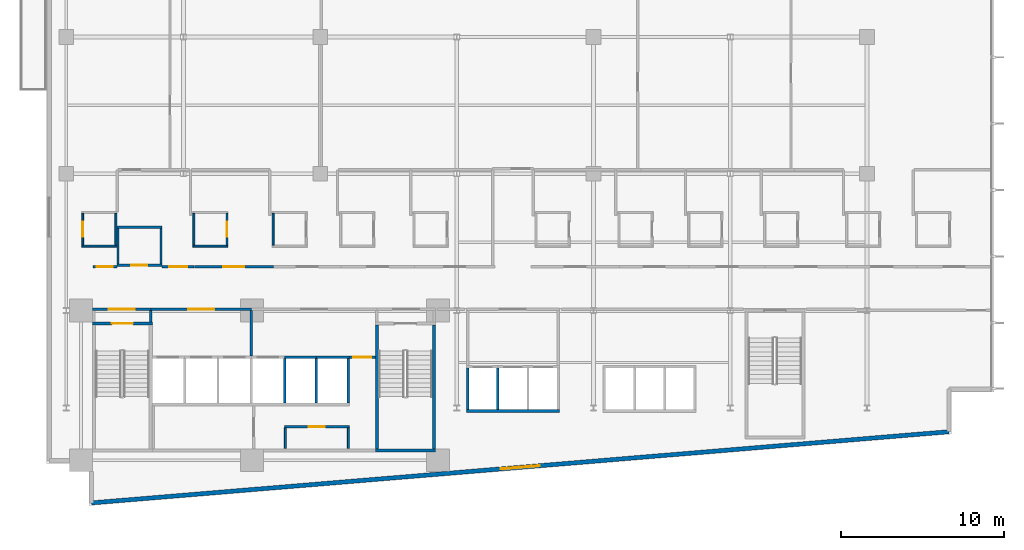
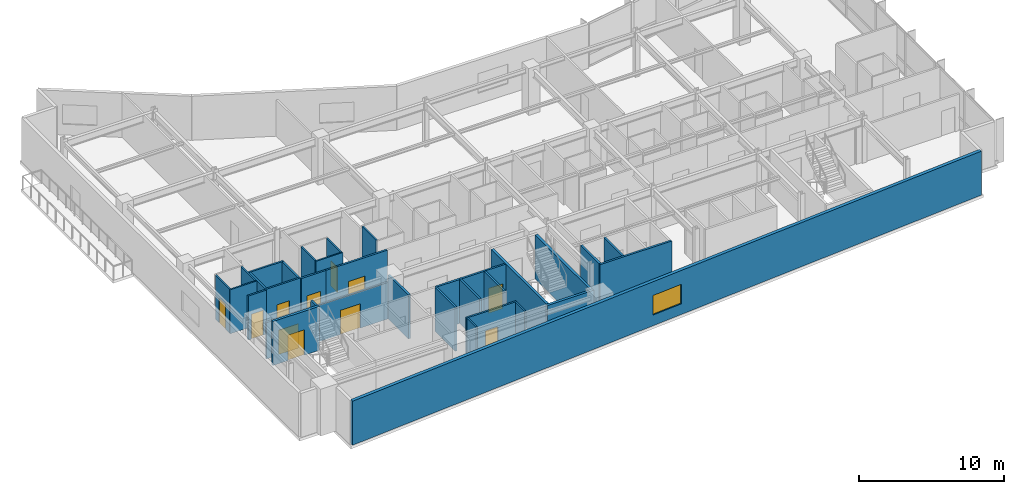
# One storey, part 12 of 21: 35 walls, 11 doors, 1 window, 12 openings.
"""IFC4 building model written with IfcOpenShell, lengths in metres."""

import ifcopenshell
import ifcopenshell.guid

model = None  # the IFC model being written
_history = None  # IfcOwnerHistory: only IFC2X3 demands one
_inside = {}  # id of a spatial element -> (the spatial element, [elements in it])
_under = {}  # id of a project, library or spatial element -> (it, [spatial elements below it])
_declared = {}  # id of a project -> (the project, [libraries it declares])
_typed = {}  # id of a type object -> (the type object, [elements of that type])
_made_of = {}  # id of a material, layer set ... -> (it, [elements and type objects made of it])


def new_model(schema):
    """Start an empty IFC model of exactly this schema.

    Asked for "IFC4X3", IfcOpenShell would pick the latest addendum, in which some entities
    have other attributes; the version numbers below select the first issue.
    IFC2X3 requires an IfcOwnerHistory on every rooted entity: one is made here for all.
    """
    global model, _history
    if schema == "IFC4X3":
        model = ifcopenshell.file(schema_version=(4, 3, 0, 0))
    else:
        model = ifcopenshell.file(schema=schema)
    _inside.clear()
    _under.clear()
    _declared.clear()
    _typed.clear()
    _made_of.clear()
    _history = None
    if model.schema == "IFC2X3":
        org = make("IfcOrganization", Name="unknown")
        user = make(
            "IfcPersonAndOrganization",
            ThePerson=make("IfcPerson", FamilyName="unknown"),
            TheOrganization=org,
        )
        app = make(
            "IfcApplication",
            ApplicationDeveloper=org,
            Version="unknown",
            ApplicationFullName="unknown",
            ApplicationIdentifier="unknown",
        )
        _history = make(
            "IfcOwnerHistory",
            OwningUser=user,
            OwningApplication=app,
            ChangeAction="ADDED",
            CreationDate=0,
        )
    return model


def make(cls, **values):
    """One entity of the class cls with the attributes given. An attribute that is None is left unset."""
    return model.create_entity(
        cls, **{name: value for name, value in values.items() if value is not None}
    )


def rooted(cls, **values):
    """An entity with a GlobalId (a new one), such as an element, a storey or a relation."""
    return make(cls, GlobalId=ifcopenshell.guid.new(), OwnerHistory=_history, **values)


def si_unit(unit_type, name, prefix=None):
    """IfcSIUnit, for example si_unit("LENGTHUNIT", "METRE", prefix="MILLI")."""
    return make("IfcSIUnit", UnitType=unit_type, Prefix=prefix, Name=name)


def assignment(units):
    """IfcUnitAssignment: the units of a project."""
    return None if units is None else make("IfcUnitAssignment", Units=units)


def point(xyz):
    """IfcCartesianPoint."""
    return None if xyz is None else make("IfcCartesianPoint", Coordinates=xyz)


def direction(xyz):
    """IfcDirection."""
    return None if xyz is None else make("IfcDirection", DirectionRatios=xyz)


def frame(location, z_axis=None, x_axis=None):
    """IfcAxis2Placement3D, a coordinate frame: its origin and axes. An axis left out is left unset."""
    return make(
        "IfcAxis2Placement3D",
        Location=point(location),
        Axis=direction(z_axis),
        RefDirection=direction(x_axis),
    )


def frame_2d(location, x_axis=None):
    """IfcAxis2Placement2D, a coordinate frame in the plane: its origin and x axis."""
    return make(
        "IfcAxis2Placement2D", Location=point(location), RefDirection=direction(x_axis)
    )


def origin():
    """The frame at (0, 0, 0) with its axes left unset."""
    return frame((0.0, 0.0, 0.0))


def place(relative_to, where):
    """IfcLocalPlacement: puts the frame where relative to a parent placement (None: the world)."""
    return make(
        "IfcLocalPlacement", PlacementRelTo=relative_to, RelativePlacement=where
    )


def context(
    kind, dimensions, precision=None, world=None, true_north=None, identifier=None
):
    """IfcGeometricRepresentationContext, for example the 3D "Model" context."""
    return make(
        "IfcGeometricRepresentationContext",
        ContextIdentifier=identifier,
        ContextType=kind,
        CoordinateSpaceDimension=dimensions,
        Precision=precision,
        WorldCoordinateSystem=world,
        TrueNorth=true_north,
    )


def subcontext(parent, identifier, kind, view, scale=None):
    """IfcGeometricRepresentationSubContext, for example "Body" below "Model"."""
    return make(
        "IfcGeometricRepresentationSubContext",
        ContextIdentifier=identifier,
        ContextType=kind,
        ParentContext=parent,
        TargetScale=scale,
        TargetView=view,
    )


def project(units=None, contexts=None):
    """IfcProject with its units and contexts."""
    return rooted(
        "IfcProject",
        Name="project",
        RepresentationContexts=contexts,
        UnitsInContext=assignment(units),
    )


def spatial(cls, under=None, at=None, **own):
    """A site, building, storey or space (cls), placed at a placement, below another one or the project."""
    s = rooted(cls, ObjectPlacement=at, **own)
    if under is not None:
        _under.setdefault(under.id(), (under, []))[1].append(s)
    return s


def profile(cls, at=None, kind="AREA", **sizes):
    """A parametric profile (cls). Its sizes go by their IFC names, for example OverallWidth=200.0."""
    return make(cls, ProfileType=kind, Position=at, **sizes)


def rectangle(**sizes):
    """IfcRectangleProfileDef."""
    return profile("IfcRectangleProfileDef", **sizes)


def extrude(swept, where, along, depth):
    """IfcExtrudedAreaSolid: the profile swept, set in the frame where, extruded along a direction by depth."""
    return make(
        "IfcExtrudedAreaSolid",
        SweptArea=swept,
        Position=where,
        ExtrudedDirection=direction(along),
        Depth=depth,
    )


def shape(context_of_items, identifier, shape_type, items):
    """IfcShapeRepresentation: the items that make up one representation, for example the "Body"."""
    return make(
        "IfcShapeRepresentation",
        ContextOfItems=context_of_items,
        RepresentationIdentifier=identifier,
        RepresentationType=shape_type,
        Items=items,
    )


def material(Name=None, Category=None):
    """IfcMaterial."""
    return make("IfcMaterial", Name=Name, Category=Category)


def layer(
    of_material, thickness, ventilated=None, Name=None, Category=None, Priority=None
):
    """IfcMaterialLayer: one layer of a wall or slab, of a material (None: an air gap)."""
    return make(
        "IfcMaterialLayer",
        Material=of_material,
        LayerThickness=thickness,
        IsVentilated=ventilated,
        Name=Name,
        Category=Category,
        Priority=Priority,
    )


def layer_set(layers, Name=None):
    """IfcMaterialLayerSet."""
    return make("IfcMaterialLayerSet", MaterialLayers=layers, LayerSetName=Name)


def made_of(thing, what):
    """Note that an element or type object is made of a material, layer set ...; save() writes the relation."""
    if what is not None:
        _made_of.setdefault(what.id(), (what, []))[1].append(thing)
    return thing


def type_object(cls, material=None, **own):
    """A type object (cls), such as IfcWallType, which elements share."""
    return made_of(rooted(cls, **own), material)


def element(
    cls,
    number,
    at=None,
    inside=None,
    cuts=None,
    type_object=None,
    material=None,
    context=None,
    identifier="Body",
    shape_type=None,
    held_by="IfcProductDefinitionShape",
    body=None,
    shapes=None,
    **own,
):
    """One element of the class cls, such as IfcWall. Its Tag is "e" and its number.

    at: its placement. inside: the storey or other place that contains it. cuts: it is an
    opening in that element (IfcRelVoidsElement). A single representation is given by context,
    identifier, shape_type and body (its items); several are given by shapes. held_by: the class
    of the entity that holds the representations. save() writes the other relations.
    """
    e = rooted(cls, Tag="e%d" % number, ObjectPlacement=at, **own)
    if body is not None:
        shapes = [shape(context, identifier, shape_type, body)]
    if shapes is not None:
        e.Representation = make(held_by, Representations=shapes)
    if inside is not None:
        _inside.setdefault(inside.id(), (inside, []))[1].append(e)
    if cuts is not None:
        rooted(
            "IfcRelVoidsElement", RelatingBuildingElement=cuts, RelatedOpeningElement=e
        )
    if type_object is not None:
        _typed.setdefault(type_object.id(), (type_object, []))[1].append(e)
    return made_of(e, material)


def fill(opening, filler):
    """IfcRelFillsElement: the door or window that sits in an opening."""
    return rooted(
        "IfcRelFillsElement",
        RelatingOpeningElement=opening,
        RelatedBuildingElement=filler,
    )


def aggregate(whole, parts):
    """IfcRelAggregates: a whole, such as a stair, and the parts it consists of."""
    return rooted("IfcRelAggregates", RelatingObject=whole, RelatedObjects=parts)


def save(model, path):
    """Write the relations noted so far, then the file.

    IfcRelAggregates (storeys below a building ...), IfcRelContainedInSpatialStructure (elements
    in a storey), IfcRelDefinesByType, IfcRelAssociatesMaterial and IfcRelDeclares: one each for
    every whole, place, type object, material and project.
    """
    for whole, parts in _under.values():
        aggregate(whole, parts)
    for where, things in _inside.values():
        rooted(
            "IfcRelContainedInSpatialStructure",
            RelatedElements=things,
            RelatingStructure=where,
        )
    for kind, things in _typed.values():
        rooted("IfcRelDefinesByType", RelatedObjects=things, RelatingType=kind)
    for what, things in _made_of.values():
        rooted("IfcRelAssociatesMaterial", RelatedObjects=things, RelatingMaterial=what)
    for by, libraries in _declared.values():
        rooted("IfcRelDeclares", RelatingContext=by, RelatedDefinitions=libraries)
    model.write(path)


model = new_model("IFC4")

# Units and contexts
model_context = context("Model", 3, precision=1e-05, world=origin(), true_north=direction((0.0, 1.0)))
body_context = subcontext(model_context, "Body", "Model", "MODEL_VIEW")
ifc_project = project(units=[si_unit("LENGTHUNIT", "METRE"), si_unit("AREAUNIT", "SQUARE_METRE"), si_unit("VOLUMEUNIT", "CUBIC_METRE"), si_unit("PLANEANGLEUNIT", "RADIAN"), si_unit("MASSUNIT", "GRAM", prefix="KILO")], contexts=[model_context])

# Site, building, storey
site_placement = place(None, origin())
site = spatial("IfcSite", under=ifc_project, at=site_placement, CompositionType="ELEMENT")
building_placement = place(site_placement, origin())
building = spatial("IfcBuilding", under=site, at=building_placement, Name="Varnakote Quay Hospital", CompositionType="ELEMENT")
storey_placement = place(building_placement, frame((0.0, 0.0, 38.300048828125)))
storey = spatial("IfcBuildingStorey", under=building, at=storey_placement, Name="L09", CompositionType="ELEMENT", Elevation=38.300048828125)

# Wall, opening, door
ifc_material_1 = material(Name="Fire-rated acoustic gypsum stud wall", Category="gypsum")
ifc_layer_1 = layer(ifc_material_1, 0.159912109375)
ifc_layer_set_1 = layer_set([ifc_layer_1], Name="Fire-rated acoustic gypsum stud wall")
wall_type_1 = type_object("IfcWallType", Name="WL-COMP-160", PredefinedType="PARTITIONING", material=ifc_layer_set_1)
wall_1_placement = place(storey_placement, frame((2.800048828125, 12.080078125, 0.0), z_axis=(0.0, 0.0, 1.0), x_axis=(1.0, 0.0, 0.0)))
wall_1 = element("IfcWall", 1, at=wall_1_placement, inside=storey, type_object=wall_type_1, Name="L09 West Stair Vestibule Smoke Wall", PredefinedType="PARTITIONING", context=body_context, shape_type="SweptSolid", body=[
    extrude(rectangle(XDim=3.599853515625, YDim=0.159912109375, at=frame_2d((1.7998046875, 0.0))), origin(), (0.0, 0.0, 1.0), 3.072998046875),
])
opening_1_placement = place(wall_1_placement, frame((1.0, 0.0, 0.0)))
opening_1 = element("IfcOpeningElement", 2, at=opening_1_placement, cuts=wall_1, Name="Opening D-ST1L-L09", PredefinedType="OPENING", context=body_context, shape_type="SweptSolid", body=[
    extrude(rectangle(XDim=1.60009765625, YDim=2.050048828125, at=frame_2d((0.800048828125, 1.02490234375))), frame((0.0, 0.08984375, 0.0), z_axis=(0.0, -1.0, 0.0), x_axis=(1.0, 0.0, 0.0)), (0.0, 0.0, 1.0), 0.179931640625),
])
ifc_material_2 = material(Name="Fire-rated double smoke lobby door")
door_type_1 = type_object("IfcDoorType", Name="DR-LOBBY-FD60S-1600x2150", OperationType="NOTDEFINED", PredefinedType="DOOR", material=ifc_material_2)
door_1_placement = place(opening_1_placement, origin())
door_1 = element("IfcDoor", 3, at=door_1_placement, inside=storey, type_object=door_type_1, Name="L09 West Stair Vestibule Smoke Door", OperationType="DOUBLE_DOOR_SINGLE_SWING", OverallHeight=2.050048828125, OverallWidth=1.60009765625, PredefinedType="DOOR", context=body_context, shape_type="SweptSolid", body=[
    extrude(rectangle(XDim=1.60009765625, YDim=2.050048828125, at=frame_2d((0.800048828125, 1.02490234375))), frame((0.0, 0.02490234375, 0.0), z_axis=(0.0, -1.0, 0.0), x_axis=(1.0, 0.0, 0.0)), (0.0, 0.0, 1.0), 0.050048828125),
])
fill(opening_1, door_1)

# Wall
wall_2_placement = place(storey_placement, frame((6.39990234375, 11.300048828125, 0.0), z_axis=(0.0, 0.0, 1.0), x_axis=(0.0, 1.0, 0.0)))
element("IfcWall", 4, at=wall_2_placement, inside=storey, type_object=wall_type_1, Name="L09 Firefighting Lobby West Wall", PredefinedType="PARTITIONING", context=body_context, shape_type="SweptSolid", body=[
    extrude(rectangle(XDim=0.699951171875, YDim=0.159912109375, at=frame_2d((0.35009765625, 0.0))), origin(), (0.0, 0.0, 1.0), 3.7099609375),
])

# Wall, opening, door
wall_3_placement = place(storey_placement, frame((6.39990234375, 12.080078125, 0.0), z_axis=(0.0, 0.0, 1.0), x_axis=(1.0, 0.0, 0.0)))
wall_3 = element("IfcWall", 5, at=wall_3_placement, inside=storey, type_object=wall_type_1, Name="L09 Firefighting Lift Lobby Compartment Wall", PredefinedType="PARTITIONING", context=body_context, shape_type="SweptSolid", body=[
    extrude(rectangle(XDim=6.18017578125, YDim=0.159912109375, at=frame_2d((3.090087890625, 0.0))), origin(), (0.0, 0.0, 1.0), 3.072998046875),
])
opening_2_placement = place(wall_3_placement, frame((2.2900390625, 0.0, 0.0)))
opening_2 = element("IfcOpeningElement", 6, at=opening_2_placement, cuts=wall_3, Name="Opening D-FFL-L09", PredefinedType="OPENING", context=body_context, shape_type="SweptSolid", body=[
    extrude(rectangle(XDim=1.60009765625, YDim=2.050048828125, at=frame_2d((0.800048828125, 1.02490234375))), frame((0.0, 0.08984375, 0.0), z_axis=(0.0, -1.0, 0.0), x_axis=(1.0, 0.0, 0.0)), (0.0, 0.0, 1.0), 0.179931640625),
])
door_2_placement = place(opening_2_placement, origin())
door_2 = element("IfcDoor", 7, at=door_2_placement, inside=storey, type_object=door_type_1, Name="L09 Firefighting Smoke Vestibule Door", OperationType="DOUBLE_DOOR_SINGLE_SWING", OverallHeight=2.050048828125, OverallWidth=1.60009765625, PredefinedType="DOOR", context=body_context, shape_type="SweptSolid", body=[
    extrude(rectangle(XDim=1.60009765625, YDim=2.050048828125, at=frame_2d((0.800048828125, 1.02490234375))), frame((0.0, 0.02490234375, 0.0), z_axis=(0.0, -1.0, 0.0), x_axis=(1.0, 0.0, 0.0)), (0.0, 0.0, 1.0), 0.050048828125),
])
fill(opening_2, door_2)

# Walls
wall_4_placement = place(storey_placement, frame((12.580078125, 9.2099609375, 0.0), z_axis=(0.0, 0.0, 1.0), x_axis=(0.0, 1.0, 0.0)))
element("IfcWall", 8, at=wall_4_placement, inside=storey, type_object=wall_type_1, Name="L09 Firefighting to Service Lobby Wall", PredefinedType="PARTITIONING", context=body_context, shape_type="SweptSolid", body=[
    extrude(rectangle(XDim=2.7900390625, YDim=0.159912109375, at=frame_2d((1.39501953125, 0.0))), origin(), (0.0, 0.0, 1.0), 3.7099609375),
])
ifc_material_3 = material(Name="Moisture-resistant bathroom partition", Category="gypsum")
ifc_layer_2 = layer(ifc_material_3, 0.114990234375)
ifc_layer_set_2 = layer_set([ifc_layer_2], Name="Moisture-resistant bathroom partition")
wall_type_2 = type_object("IfcWallType", Name="WL-ENS-115", PredefinedType="PARTITIONING", material=ifc_layer_set_2)
wall_5_placement = place(storey_placement, frame((2.155029296875, 15.952392578125, 0.0), z_axis=(0.0, 0.0, 1.0), x_axis=(1.0, 0.0, 0.0)))
element("IfcWall", 9, at=wall_5_placement, inside=storey, type_object=wall_type_2, Name="L09 Inpatient En-Suite Bathroom 01 S Wall", PredefinedType="PARTITIONING", context=body_context, shape_type="SweptSolid", body=[
    extrude(rectangle(XDim=2.14990234375, YDim=0.114990234375, at=frame_2d((1.074951171875, 0.0))), origin(), (0.0, 0.0, 1.0), 3.7099609375),
])

# Wall, opening, door
wall_6_placement = place(storey_placement, frame((2.21240234375, 16.010009765625, 0.0), z_axis=(0.0, 0.0, 1.0), x_axis=(0.0, 1.0, 0.0)))
wall_6 = element("IfcWall", 10, at=wall_6_placement, inside=storey, type_object=wall_type_2, Name="L09 Inpatient En-Suite Bathroom 01 W Wall", PredefinedType="PARTITIONING", context=body_context, shape_type="SweptSolid", body=[
    extrude(rectangle(XDim=1.949951171875, YDim=0.114990234375, at=frame_2d((0.97509765625, 0.0))), origin(), (0.0, 0.0, 1.0), 3.7099609375),
])
opening_3_placement = place(wall_6_placement, frame((0.514892578125, 0.0, 0.0)))
opening_3 = element("IfcOpeningElement", 11, at=opening_3_placement, cuts=wall_6, Name="Opening D-L09-ENS01", PredefinedType="OPENING", context=body_context, shape_type="SweptSolid", body=[
    extrude(rectangle(XDim=0.919921875, YDim=2.10009765625, at=frame_2d((0.4599609375, 1.050048828125))), frame((0.0, 0.0673828125, 0.0), z_axis=(0.0, -1.0, 0.0), x_axis=(1.0, 0.0, 0.0)), (0.0, 0.0, 1.0), 0.135009765625),
])
ifc_material_4 = material(Name="Moisture-sealed en-suite bathroom door")
door_type_2 = type_object("IfcDoorType", Name="DR-ENS-920x2100", OperationType="NOTDEFINED", PredefinedType="DOOR", material=ifc_material_4)
door_3_placement = place(opening_3_placement, origin())
door_3 = element("IfcDoor", 12, at=door_3_placement, inside=storey, type_object=door_type_2, Name="L09 Inpatient En-Suite Bathroom 01 Door", OperationType="SINGLE_SWING_LEFT", OverallHeight=2.10009765625, OverallWidth=0.919921875, PredefinedType="DOOR", context=body_context, shape_type="SweptSolid", body=[
    extrude(rectangle(XDim=0.919921875, YDim=2.10009765625, at=frame_2d((0.4599609375, 1.050048828125))), frame((0.0, 0.02490234375, 0.0), z_axis=(0.0, -1.0, 0.0), x_axis=(1.0, 0.0, 0.0)), (0.0, 0.0, 1.0), 0.050048828125),
])
fill(opening_3, door_3)

# Walls
wall_7_placement = place(storey_placement, frame((4.24755859375, 16.010009765625, 0.0), z_axis=(0.0, 0.0, 1.0), x_axis=(0.0, 1.0, 0.0)))
element("IfcWall", 13, at=wall_7_placement, inside=storey, type_object=wall_type_2, Name="L09 Inpatient En-Suite Bathroom 01 E Wall", PredefinedType="PARTITIONING", context=body_context, shape_type="SweptSolid", body=[
    extrude(rectangle(XDim=1.949951171875, YDim=0.114990234375, at=frame_2d((0.97509765625, 0.0))), origin(), (0.0, 0.0, 1.0), 3.7099609375),
])
wall_8_placement = place(storey_placement, frame((8.985107421875, 15.952392578125, 0.0), z_axis=(0.0, 0.0, 1.0), x_axis=(1.0, 0.0, 0.0)))
element("IfcWall", 14, at=wall_8_placement, inside=storey, type_object=wall_type_2, Name="L09 Inpatient En-Suite Bathroom 02 S Wall", PredefinedType="PARTITIONING", context=body_context, shape_type="SweptSolid", body=[
    extrude(rectangle(XDim=2.14990234375, YDim=0.114990234375, at=frame_2d((1.074951171875, 0.0))), origin(), (0.0, 0.0, 1.0), 3.7099609375),
])
wall_9_placement = place(storey_placement, frame((9.04248046875, 16.010009765625, 0.0), z_axis=(0.0, 0.0, 1.0), x_axis=(0.0, 1.0, 0.0)))
element("IfcWall", 15, at=wall_9_placement, inside=storey, type_object=wall_type_2, Name="L09 Inpatient En-Suite Bathroom 02 W Wall", PredefinedType="PARTITIONING", context=body_context, shape_type="SweptSolid", body=[
    extrude(rectangle(XDim=1.949951171875, YDim=0.114990234375, at=frame_2d((0.97509765625, 0.0))), origin(), (0.0, 0.0, 1.0), 3.7099609375),
])

# Wall, opening, door
wall_10_placement = place(storey_placement, frame((11.077392578125, 16.010009765625, 0.0), z_axis=(0.0, 0.0, 1.0), x_axis=(0.0, 1.0, 0.0)))
wall_10 = element("IfcWall", 16, at=wall_10_placement, inside=storey, type_object=wall_type_2, Name="L09 Inpatient En-Suite Bathroom 02 E Wall", PredefinedType="PARTITIONING", context=body_context, shape_type="SweptSolid", body=[
    extrude(rectangle(XDim=1.949951171875, YDim=0.114990234375, at=frame_2d((0.97509765625, 0.0))), origin(), (0.0, 0.0, 1.0), 3.7099609375),
])
opening_4_placement = place(wall_10_placement, frame((0.514892578125, 0.0, 0.0)))
opening_4 = element("IfcOpeningElement", 17, at=opening_4_placement, cuts=wall_10, Name="Opening D-L09-ENS02", PredefinedType="OPENING", context=body_context, shape_type="SweptSolid", body=[
    extrude(rectangle(XDim=0.919921875, YDim=2.10009765625, at=frame_2d((0.4599609375, 1.050048828125))), frame((0.0, 0.0673828125, 0.0), z_axis=(0.0, -1.0, 0.0), x_axis=(1.0, 0.0, 0.0)), (0.0, 0.0, 1.0), 0.135009765625),
])
door_4_placement = place(opening_4_placement, origin())
door_4 = element("IfcDoor", 18, at=door_4_placement, inside=storey, type_object=door_type_2, Name="L09 Inpatient En-Suite Bathroom 02 Door", OperationType="SINGLE_SWING_RIGHT", OverallHeight=2.10009765625, OverallWidth=0.919921875, PredefinedType="DOOR", context=body_context, shape_type="SweptSolid", body=[
    extrude(rectangle(XDim=0.919921875, YDim=2.10009765625, at=frame_2d((0.4599609375, 1.050048828125))), frame((0.0, 0.02490234375, 0.0), z_axis=(0.0, -1.0, 0.0), x_axis=(1.0, 0.0, 0.0)), (0.0, 0.0, 1.0), 0.050048828125),
])
fill(opening_4, door_4)

# Wall
wall_11_placement = place(storey_placement, frame((13.91259765625, 16.010009765625, 0.0), z_axis=(0.0, 0.0, 1.0), x_axis=(0.0, 1.0, 0.0)))
element("IfcWall", 19, at=wall_11_placement, inside=storey, type_object=wall_type_2, Name="L09 Inpatient En-Suite Bathroom 03 W Wall", PredefinedType="PARTITIONING", context=body_context, shape_type="SweptSolid", body=[
    extrude(rectangle(XDim=1.949951171875, YDim=0.114990234375, at=frame_2d((0.97509765625, 0.0))), origin(), (0.0, 0.0, 1.0), 3.7099609375),
])

# Wall, opening, window
ifc_material_5 = material(Name="Precast concrete N50 (f'c 50 MPa)", Category="concrete")
ifc_layer_3 = layer(ifc_material_5, 0.260009765625)
ifc_layer_set_3 = layer_set([ifc_layer_3], Name="Precast concrete N50 (f'c 50 MPa)")
wall_type_3 = type_object("IfcWallType", Name="WL-EXT-BRICK-260", PredefinedType="STANDARD", material=ifc_layer_set_3)
wall_12_placement = place(storey_placement, frame((2.760009765625, 0.173828125, 0.0), z_axis=(0.0, 0.0, 1.0), x_axis=(0.996571478456, 0.082736257641, 0.0)))
wall_12 = element("IfcWall", 20, at=wall_12_placement, inside=storey, type_object=wall_type_3, Name="L09 Brick-Faced Precast Exterior Wall", PredefinedType="STANDARD", context=body_context, shape_type="SweptSolid", body=[
    extrude(rectangle(XDim=52.861083984375, YDim=0.260009765625, at=frame_2d((26.4306640625, 0.0))), origin(), (0.0, 0.0, 1.0), 3.7099609375),
])
opening_5_placement = place(wall_12_placement, frame((25.230712890625, 0.0, 0.89990234375)))
opening_5 = element("IfcOpeningElement", 21, at=opening_5_placement, cuts=wall_12, Name="Opening WN-0050", PredefinedType="OPENING", context=body_context, shape_type="SweptSolid", body=[
    extrude(rectangle(XDim=2.39990234375, YDim=1.64990234375, at=frame_2d((1.199951171875, 0.824951171875))), frame((0.0, 0.139892578125, 0.0), z_axis=(0.0, -1.0, 0.0), x_axis=(1.0, 0.0, 0.0)), (0.0, 0.0, 1.0), 0.280029296875),
])
ifc_material_6 = material(Name="Double-glazed low-E solar glass", Category="glass")
window_type = type_object("IfcWindowType", Name="WIN-CLIN-2400x1650", PartitioningType="SINGLE_PANEL", PredefinedType="WINDOW", material=ifc_material_6)
window_placement = place(opening_5_placement, origin())
window = element("IfcWindow", 22, at=window_placement, inside=storey, type_object=window_type, Name="L09 Solar-Control Clinical Window", OverallHeight=1.64990234375, OverallWidth=2.39990234375, PartitioningType="SINGLE_PANEL", PredefinedType="WINDOW", context=body_context, shape_type="SweptSolid", body=[
    extrude(rectangle(XDim=2.39990234375, YDim=1.64990234375, at=frame_2d((1.199951171875, 0.824951171875))), frame((0.0, 0.030029296875, 0.0), z_axis=(0.0, -1.0, 0.0), x_axis=(1.0, 0.0, 0.0)), (0.0, 0.0, 1.0), 0.06005859375),
])
fill(opening_5, window)

# Walls
ifc_material_7 = material(Name="Concrete N50 (f'c 50 MPa)", Category="concrete")
ifc_layer_4 = layer(ifc_material_7, 0.14990234375)
ifc_layer_set_4 = layer_set([ifc_layer_4], Name="Concrete N50 (f'c 50 MPa)")
wall_type_4 = type_object("IfcWallType", Name="WL-SHAFT-N50-150", PredefinedType="SHEAR", material=ifc_layer_set_4)
for number, where, z_axis, x_axis, name in (
    (23, (14.625, 6.300048828125, 0.0), (0.0, 0.0, 1.0), (0.0, 1.0, 0.0), "L09 LF-SV2 Hoistway Divider Wall"),
    (24, (16.574951171875, 6.300048828125, 0.0), (0.0, 0.0, 1.0), (0.0, 1.0, 0.0), "L09 LF-PH1 Hoistway Divider Wall"),
):
    element("IfcWall", number, at=place(storey_placement, frame(where, z_axis=z_axis, x_axis=x_axis)), inside=storey, type_object=wall_type_4, Name=name, PredefinedType="SHEAR", context=body_context, shape_type="SweptSolid", body=[
        extrude(rectangle(XDim=2.75, YDim=0.14990234375, at=frame_2d((1.375, 0.0))), origin(), (0.0, 0.0, 1.0), 3.7099609375),
    ])
wall_13_placement = place(storey_placement, frame((27.72509765625, 5.89990234375, 0.0), z_axis=(0.0, 0.0, 1.0), x_axis=(0.0, 1.0, 0.0)))
element("IfcWall", 25, at=wall_13_placement, inside=storey, type_object=wall_type_4, Name="L09 LF-PL1 Hoistway Divider Wall", PredefinedType="SHEAR", context=body_context, shape_type="SweptSolid", body=[
    extrude(rectangle(XDim=2.550048828125, YDim=0.14990234375, at=frame_2d((1.27490234375, 0.0))), origin(), (0.0, 0.0, 1.0), 3.7099609375),
])
ifc_material_8 = material(Name="Concrete N50 (f'c 50 MPa)", Category="concrete")
ifc_layer_5 = layer(ifc_material_8, 0.159912109375)
ifc_layer_set_5 = layer_set([ifc_layer_5], Name="Concrete N50 (f'c 50 MPa)")
wall_type_5 = type_object("IfcWallType", Name="WL-SHAFT-N50-160", PredefinedType="SHEAR", material=ifc_layer_set_5)
wall_14_placement = place(storey_placement, frame((18.530029296875, 6.300048828125, 0.0), z_axis=(0.0, 0.0, 1.0), x_axis=(0.0, 1.0, 0.0)))
element("IfcWall", 26, at=wall_14_placement, inside=storey, type_object=wall_type_5, Name="L09 REAR Lift Bank East Shear Wall", PredefinedType="SHEAR", context=body_context, shape_type="SweptSolid", body=[
    extrude(rectangle(XDim=2.75, YDim=0.159912109375, at=frame_2d((1.375, 0.0))), origin(), (0.0, 0.0, 1.0), 3.7099609375),
])
wall_15_placement = place(storey_placement, frame((14.625, 9.1298828125, 0.0), z_axis=(0.0, 0.0, 1.0), x_axis=(1.0, 0.0, 0.0)))
element("IfcWall", 27, at=wall_15_placement, inside=storey, type_object=wall_type_5, Name="L09 LF-PH1 Hoistway Front Wall", PredefinedType="SHEAR", context=body_context, shape_type="SweptSolid", body=[
    extrude(rectangle(XDim=1.949951171875, YDim=0.159912109375, at=frame_2d((0.97509765625, 0.0))), origin(), (0.0, 0.0, 1.0), 3.7099609375),
])
wall_16_placement = place(storey_placement, frame((16.574951171875, 9.1298828125, 0.0), z_axis=(0.0, 0.0, 1.0), x_axis=(1.0, 0.0, 0.0)))
element("IfcWall", 28, at=wall_16_placement, inside=storey, type_object=wall_type_5, Name="L09 LF-PH2 Hoistway Front Wall", PredefinedType="SHEAR", context=body_context, shape_type="SweptSolid", body=[
    extrude(rectangle(XDim=2.03515625, YDim=0.159912109375, at=frame_2d((1.017578125, 0.0))), origin(), (0.0, 0.0, 1.0), 3.7099609375),
])
wall_17_placement = place(storey_placement, frame((25.7900390625, 5.820068359375, 0.0), z_axis=(0.0, 0.0, 1.0), x_axis=(1.0, 0.0, 0.0)))
element("IfcWall", 29, at=wall_17_placement, inside=storey, type_object=wall_type_5, Name="L09 LOW Lift Bank Back Shear Wall", PredefinedType="SHEAR", context=body_context, shape_type="SweptSolid", body=[
    extrude(rectangle(XDim=5.719970703125, YDim=0.159912109375, at=frame_2d((2.85986328125, 0.0))), origin(), (0.0, 0.0, 1.0), 3.7099609375),
])
wall_18_placement = place(storey_placement, frame((25.8701171875, 5.89990234375, 0.0), z_axis=(0.0, 0.0, 1.0), x_axis=(0.0, 1.0, 0.0)))
element("IfcWall", 30, at=wall_18_placement, inside=storey, type_object=wall_type_5, Name="L09 LOW Lift Bank West Shear Wall", PredefinedType="SHEAR", context=body_context, shape_type="SweptSolid", body=[
    extrude(rectangle(XDim=2.550048828125, YDim=0.159912109375, at=frame_2d((1.27490234375, 0.0))), origin(), (0.0, 0.0, 1.0), 3.7099609375),
])

# Wall, opening, door
ifc_material_9 = material(Name="Concrete N50 (f'c 50 MPa)", Category="concrete")
ifc_layer_6 = layer(ifc_material_9, 0.199951171875)
ifc_layer_set_6 = layer_set([ifc_layer_6], Name="Concrete N50 (f'c 50 MPa)")
wall_type_6 = type_object("IfcWallType", Name="WL-SHAFT-N50-200", PredefinedType="SHEAR", material=ifc_layer_set_6)
wall_19_placement = place(storey_placement, frame((2.800048828125, 11.199951171875, 0.0), z_axis=(0.0, 0.0, 1.0), x_axis=(1.0, 0.0, 0.0)))
wall_19 = element("IfcWall", 31, at=wall_19_placement, inside=storey, type_object=wall_type_6, Name="L09 Stair ST1 Exit Wall", PredefinedType="SHEAR", context=body_context, shape_type="SweptSolid", body=[
    extrude(rectangle(XDim=3.699951171875, YDim=0.199951171875, at=frame_2d((1.85009765625, 0.0))), origin(), (0.0, 0.0, 1.0), 3.7099609375),
])
opening_6_placement = place(wall_19_placement, frame((1.199951171875, 0.0, 0.0)))
opening_6 = element("IfcOpeningElement", 32, at=opening_6_placement, cuts=wall_19, Name="Opening D-ST1-L09", PredefinedType="OPENING", context=body_context, shape_type="SweptSolid", body=[
    extrude(rectangle(XDim=1.300048828125, YDim=2.14990234375, at=frame_2d((0.64990234375, 1.074951171875))), frame((0.0, 0.10986328125, 0.0), z_axis=(0.0, -1.0, 0.0), x_axis=(1.0, 0.0, 0.0)), (0.0, 0.0, 1.0), 0.219970703125),
])
ifc_material_10 = material(Name="Fire-rated ceramic-glazed timber exit door", Category="wood")
door_type_3 = type_object("IfcDoorType", Name="DR-STAIR-FD60S-1300x2150", OperationType="NOTDEFINED", PredefinedType="DOOR", material=ifc_material_10)
door_5_placement = place(opening_6_placement, origin())
door_5 = element("IfcDoor", 33, at=door_5_placement, inside=storey, type_object=door_type_3, Name="L09 Stair ST1 Fire Exit Door", OperationType="SINGLE_SWING_RIGHT", OverallHeight=2.14990234375, OverallWidth=1.300048828125, PredefinedType="DOOR", context=body_context, shape_type="SweptSolid", body=[
    extrude(rectangle(XDim=1.300048828125, YDim=2.14990234375, at=frame_2d((0.64990234375, 1.074951171875))), frame((0.0, 0.02490234375, 0.0), z_axis=(0.0, -1.0, 0.0), x_axis=(1.0, 0.0, 0.0)), (0.0, 0.0, 1.0), 0.050048828125),
])
fill(opening_6, door_5)

# Walls
wall_20_placement = place(storey_placement, frame((20.199951171875, 3.39990234375, 0.0), z_axis=(0.0, 0.0, 1.0), x_axis=(1.0, 0.0, 0.0)))
element("IfcWall", 34, at=wall_20_placement, inside=storey, type_object=wall_type_6, Name="L09 Stair ST2 South Shaft Wall", PredefinedType="SHEAR", context=body_context, shape_type="SweptSolid", body=[
    extrude(rectangle(XDim=3.699951171875, YDim=0.199951171875, at=frame_2d((1.85009765625, 0.0))), origin(), (0.0, 0.0, 1.0), 3.7099609375),
])
for number, where, z_axis, x_axis, name in (
    (35, (20.300048828125, 3.5, 0.0), (0.0, 0.0, 1.0), (0.0, 1.0, 0.0), "L09 Stair ST2 West Shaft Wall"),
    (36, (23.800048828125, 3.5, 0.0), (0.0, 0.0, 1.0), (0.0, 1.0, 0.0), "L09 Stair ST2 East Shaft Wall"),
):
    element("IfcWall", number, at=place(storey_placement, frame(where, z_axis=z_axis, x_axis=x_axis)), inside=storey, type_object=wall_type_6, Name=name, PredefinedType="SHEAR", context=body_context, shape_type="SweptSolid", body=[
        extrude(rectangle(XDim=7.60009765625, YDim=0.199951171875, at=frame_2d((3.800048828125, 0.0))), origin(), (0.0, 0.0, 1.0), 3.7099609375),
    ])
ifc_material_11 = material(Name="Smoke-proof clinical partition", Category="gypsum")
ifc_layer_7 = layer(ifc_material_11, 0.1201171875)
ifc_layer_set_7 = layer_set([ifc_layer_7], Name="Smoke-proof clinical partition")
wall_type_7 = type_object("IfcWallType", Name="WL-SMOKE-120", PredefinedType="PARTITIONING", material=ifc_layer_set_7)
for number, where, z_axis, x_axis, name in (
    (37, (14.669921875, 3.52001953125, 0.0), (0.0, 0.0, 1.0), (0.0, 1.0, 0.0), "L09 Core WC West Wall"),
    (38, (18.5400390625, 3.52001953125, 0.0), (0.0, 0.0, 1.0), (0.0, 1.0, 0.0), "L09 Core WC East Wall"),
):
    element("IfcWall", number, at=place(storey_placement, frame(where, z_axis=z_axis, x_axis=x_axis)), inside=storey, type_object=wall_type_7, Name=name, PredefinedType="PARTITIONING", context=body_context, shape_type="SweptSolid", body=[
        extrude(rectangle(XDim=1.260009765625, YDim=0.1201171875, at=frame_2d((0.6298828125, 0.0))), origin(), (0.0, 0.0, 1.0), 3.7099609375),
    ])

# Wall, opening, door
ifc_material_12 = material(Name="Fire-rated clinical gypsum partition", Category="gypsum")
ifc_layer_8 = layer(ifc_material_12, 0.139892578125)
ifc_layer_set_8 = layer_set([ifc_layer_8], Name="Fire-rated clinical gypsum partition")
wall_type_8 = type_object("IfcWallType", Name="WL-WARD-140", PredefinedType="PARTITIONING", material=ifc_layer_set_8)
wall_21_placement = place(storey_placement, frame((14.60009765625, 4.85009765625, 0.0), z_axis=(0.0, 0.0, 1.0), x_axis=(1.0, 0.0, 0.0)))
wall_21 = element("IfcWall", 39, at=wall_21_placement, inside=storey, type_object=wall_type_8, Name="L09 Core Staff Sanitary WC North Wall", PredefinedType="PARTITIONING", context=body_context, shape_type="SweptSolid", body=[
    extrude(rectangle(XDim=4.0, YDim=0.139892578125, at=frame_2d((2.0, 0.0))), origin(), (0.0, 0.0, 1.0), 3.7099609375),
])
opening_7_placement = place(wall_21_placement, frame((1.510009765625, 0.0, 0.0)))
opening_7 = element("IfcOpeningElement", 40, at=opening_7_placement, cuts=wall_21, Name="Opening D-L09-CR02", PredefinedType="OPENING", context=body_context, shape_type="SweptSolid", body=[
    extrude(rectangle(XDim=0.97998046875, YDim=2.10009765625, at=frame_2d((0.489990234375, 1.050048828125))), frame((0.0, 0.079833984375, 0.0), z_axis=(0.0, -1.0, 0.0), x_axis=(1.0, 0.0, 0.0)), (0.0, 0.0, 1.0), 0.159912109375),
])
ifc_material_13 = material(Name="Accessible sanitary compartment door")
door_type_4 = type_object("IfcDoorType", Name="DR-WC-980x2100", OperationType="NOTDEFINED", PredefinedType="DOOR", material=ifc_material_13)
door_6_placement = place(opening_7_placement, origin())
door_6 = element("IfcDoor", 41, at=door_6_placement, inside=storey, type_object=door_type_4, Name="L09 Core Staff Sanitary WC Door", OperationType="SINGLE_SWING_RIGHT", OverallHeight=2.10009765625, OverallWidth=0.97998046875, PredefinedType="DOOR", context=body_context, shape_type="SweptSolid", body=[
    extrude(rectangle(XDim=0.97998046875, YDim=2.10009765625, at=frame_2d((0.489990234375, 1.050048828125))), frame((0.0, 0.02490234375, 0.0), z_axis=(0.0, -1.0, 0.0), x_axis=(1.0, 0.0, 0.0)), (0.0, 0.0, 1.0), 0.050048828125),
])
fill(opening_7, door_6)

wall_22_placement = place(storey_placement, frame((18.610107421875, 9.1298828125, 0.0), z_axis=(0.0, 0.0, 1.0), x_axis=(1.0, 0.0, 0.0)))
wall_22 = element("IfcWall", 42, at=wall_22_placement, inside=storey, type_object=wall_type_8, Name="L09 Core Service Corridor North Door Wall", PredefinedType="PARTITIONING", context=body_context, shape_type="SweptSolid", body=[
    extrude(rectangle(XDim=1.58984375, YDim=0.139892578125, at=frame_2d((0.794921875, 0.0))), origin(), (0.0, 0.0, 1.0), 3.7099609375),
])
opening_8_placement = place(wall_22_placement, frame((0.239990234375, 0.0, 0.0)))
opening_8 = element("IfcOpeningElement", 43, at=opening_8_placement, cuts=wall_22, Name="Opening D-CSRV-L09", PredefinedType="OPENING", context=body_context, shape_type="SweptSolid", body=[
    extrude(rectangle(XDim=1.10009765625, YDim=2.10009765625, at=frame_2d((0.550048828125, 1.050048828125))), frame((0.0, 0.079833984375, 0.0), z_axis=(0.0, -1.0, 0.0), x_axis=(1.0, 0.0, 0.0)), (0.0, 0.0, 1.0), 0.159912109375),
])
ifc_material_14 = material(Name="Acoustic timber clinical consult door", Category="wood")
door_type_5 = type_object("IfcDoorType", Name="DR-CLIN-FD30S-1100x2100", OperationType="NOTDEFINED", PredefinedType="DOOR", material=ifc_material_14)
door_7_placement = place(opening_8_placement, origin())
door_7 = element("IfcDoor", 44, at=door_7_placement, inside=storey, type_object=door_type_5, Name="L09 Core Service Corridor Door", OperationType="SINGLE_SWING_LEFT", OverallHeight=2.10009765625, OverallWidth=1.10009765625, PredefinedType="DOOR", context=body_context, shape_type="SweptSolid", body=[
    extrude(rectangle(XDim=1.10009765625, YDim=2.10009765625, at=frame_2d((0.550048828125, 1.050048828125))), frame((0.0, 0.02490234375, 0.0), z_axis=(0.0, -1.0, 0.0), x_axis=(1.0, 0.0, 0.0)), (0.0, 0.0, 1.0), 0.050048828125),
])
fill(opening_8, door_7)

wall_23_placement = place(storey_placement, frame((4.31005859375, 14.77001953125, 0.0), z_axis=(0.0, 0.0, 1.0), x_axis=(1.0, 0.0, 0.0)))
wall_23 = element("IfcWall", 45, at=wall_23_placement, inside=storey, type_object=wall_type_8, Name="L09 Floor Unisex Accessible WC S Wall", PredefinedType="PARTITIONING", context=body_context, shape_type="SweptSolid", body=[
    extrude(rectangle(XDim=2.780029296875, YDim=0.139892578125, at=frame_2d((1.39013671875, 0.0))), origin(), (0.0, 0.0, 1.0), 3.7099609375),
])
opening_9_placement = place(wall_23_placement, frame((0.89990234375, 0.0, 0.0)))
opening_9 = element("IfcOpeningElement", 46, at=opening_9_placement, cuts=wall_23, Name="Opening D-L09-EW01", PredefinedType="OPENING", context=body_context, shape_type="SweptSolid", body=[
    extrude(rectangle(XDim=0.97998046875, YDim=2.10009765625, at=frame_2d((0.489990234375, 1.050048828125))), frame((0.0, 0.079833984375, 0.0), z_axis=(0.0, -1.0, 0.0), x_axis=(1.0, 0.0, 0.0)), (0.0, 0.0, 1.0), 0.159912109375),
])
door_8_placement = place(opening_9_placement, origin())
door_8 = element("IfcDoor", 47, at=door_8_placement, inside=storey, type_object=door_type_4, Name="L09 Floor Unisex Accessible WC Door", OperationType="SINGLE_SWING_RIGHT", OverallHeight=2.10009765625, OverallWidth=0.97998046875, PredefinedType="DOOR", context=body_context, shape_type="SweptSolid", body=[
    extrude(rectangle(XDim=0.97998046875, YDim=2.10009765625, at=frame_2d((0.489990234375, 1.050048828125))), frame((0.0, 0.02490234375, 0.0), z_axis=(0.0, -1.0, 0.0), x_axis=(1.0, 0.0, 0.0)), (0.0, 0.0, 1.0), 0.050048828125),
])
fill(opening_9, door_8)

# Walls
wall_24_placement = place(storey_placement, frame((4.31005859375, 17.110107421875, 0.0), z_axis=(0.0, 0.0, 1.0), x_axis=(1.0, 0.0, 0.0)))
element("IfcWall", 48, at=wall_24_placement, inside=storey, type_object=wall_type_8, Name="L09 Floor Unisex Accessible WC N Wall", PredefinedType="PARTITIONING", context=body_context, shape_type="SweptSolid", body=[
    extrude(rectangle(XDim=2.780029296875, YDim=0.139892578125, at=frame_2d((1.39013671875, 0.0))), origin(), (0.0, 0.0, 1.0), 3.7099609375),
])
for number, where, z_axis, x_axis, name in (
    (49, (4.3798828125, 14.840087890625, 0.0), (0.0, 0.0, 1.0), (0.0, 1.0, 0.0), "L09 Floor Unisex Accessible WC W Wall"),
    (50, (7.02001953125, 14.840087890625, 0.0), (0.0, 0.0, 1.0), (0.0, 1.0, 0.0), "L09 Floor Unisex Accessible WC E Wall"),
):
    element("IfcWall", number, at=place(storey_placement, frame(where, z_axis=z_axis, x_axis=x_axis)), inside=storey, type_object=wall_type_8, Name=name, PredefinedType="PARTITIONING", context=body_context, shape_type="SweptSolid", body=[
        extrude(rectangle(XDim=2.199951171875, YDim=0.139892578125, at=frame_2d((1.10009765625, 0.0))), origin(), (0.0, 0.0, 1.0), 3.7099609375),
    ])

# Wall, opening, door
ifc_material_15 = material(Name="Fire-rated clinical gypsum partition", Category="gypsum")
ifc_layer_9 = layer(ifc_material_15, 0.14990234375)
ifc_layer_set_9 = layer_set([ifc_layer_9], Name="Fire-rated clinical gypsum partition")
wall_type_9 = type_object("IfcWallType", Name="WL-WARD-150", PredefinedType="PARTITIONING", material=ifc_layer_set_9)
wall_25_placement = place(storey_placement, frame((4.30810546875, 14.679931640625, 0.0), z_axis=(0.0, 0.0, 1.0), x_axis=(-1.0, 0.0, 0.0)))
wall_25 = element("IfcWall", 51, at=wall_25_placement, inside=storey, type_object=wall_type_9, Name="L09 Clinical Interior Partition", PredefinedType="PARTITIONING", context=body_context, shape_type="SweptSolid", body=[
    extrude(rectangle(XDim=1.4580078125, YDim=0.14990234375, at=frame_2d((0.72900390625, 0.0))), origin(), (0.0, 0.0, 1.0), 3.7099609375),
])
opening_10_placement = place(wall_25_placement, frame((0.239013671875, 0.0, 0.0)))
opening_10 = element("IfcOpeningElement", 52, at=opening_10_placement, cuts=wall_25, Name="Opening D-L09-BR01", PredefinedType="OPENING", context=body_context, shape_type="SweptSolid", body=[
    extrude(rectangle(XDim=0.97998046875, YDim=2.10009765625, at=frame_2d((0.489990234375, 1.050048828125))), frame((0.0, 0.0849609375, 0.0), z_axis=(0.0, -1.0, 0.0), x_axis=(1.0, 0.0, 0.0)), (0.0, 0.0, 1.0), 0.169921875),
])
door_9_placement = place(opening_10_placement, origin())
door_9 = element("IfcDoor", 53, at=door_9_placement, inside=storey, type_object=door_type_4, Name="L09 Resident Care Bedroom 01 Door", OperationType="SINGLE_SWING_LEFT", OverallHeight=2.10009765625, OverallWidth=0.97998046875, PredefinedType="DOOR", context=body_context, shape_type="SweptSolid", body=[
    extrude(rectangle(XDim=0.97998046875, YDim=2.10009765625, at=frame_2d((0.489990234375, 1.050048828125))), frame((0.0, 0.02490234375, 0.0), z_axis=(0.0, -1.0, 0.0), x_axis=(1.0, 0.0, 0.0)), (0.0, 0.0, 1.0), 0.050048828125),
])
fill(opening_10, door_9)

wall_26_placement = place(storey_placement, frame((9.06591796875, 14.679931640625, 0.0), z_axis=(0.0, 0.0, 1.0), x_axis=(-1.0, 0.0, 0.0)))
wall_26 = element("IfcWall", 54, at=wall_26_placement, inside=storey, type_object=wall_type_9, Name="L09 Clinical Interior Partition", PredefinedType="PARTITIONING", context=body_context, shape_type="SweptSolid", body=[
    extrude(rectangle(XDim=1.973876953125, YDim=0.14990234375, at=frame_2d((0.98681640625, 0.0))), origin(), (0.0, 0.0, 1.0), 3.7099609375),
])
opening_11_placement = place(wall_26_placement, frame((0.43701171875, 0.0, 0.0)))
opening_11 = element("IfcOpeningElement", 55, at=opening_11_placement, cuts=wall_26, Name="Opening D-L09-MD01", PredefinedType="OPENING", context=body_context, shape_type="SweptSolid", body=[
    extrude(rectangle(XDim=1.10009765625, YDim=2.10009765625, at=frame_2d((0.550048828125, 1.050048828125))), frame((0.0, 0.0849609375, 0.0), z_axis=(0.0, -1.0, 0.0), x_axis=(1.0, 0.0, 0.0)), (0.0, 0.0, 1.0), 0.169921875),
])
door_10_placement = place(opening_11_placement, origin())
door_10 = element("IfcDoor", 56, at=door_10_placement, inside=storey, type_object=door_type_5, Name="L09 Ward Nurse Station Office Door", OperationType="SINGLE_SWING_RIGHT", OverallHeight=2.10009765625, OverallWidth=1.10009765625, PredefinedType="DOOR", context=body_context, shape_type="SweptSolid", body=[
    extrude(rectangle(XDim=1.10009765625, YDim=2.10009765625, at=frame_2d((0.550048828125, 1.050048828125))), frame((0.0, 0.02490234375, 0.0), z_axis=(0.0, -1.0, 0.0), x_axis=(1.0, 0.0, 0.0)), (0.0, 0.0, 1.0), 0.050048828125),
])
fill(opening_11, door_10)

wall_27_placement = place(storey_placement, frame((13.93603515625, 14.679931640625, 0.0), z_axis=(0.0, 0.0, 1.0), x_axis=(-1.0, 0.0, 0.0)))
wall_27 = element("IfcWall", 57, at=wall_27_placement, inside=storey, type_object=wall_type_9, Name="L09 Clinical Interior Partition", PredefinedType="PARTITIONING", context=body_context, shape_type="SweptSolid", body=[
    extrude(rectangle(XDim=4.867919921875, YDim=0.14990234375, at=frame_2d((2.43408203125, 0.0))), origin(), (0.0, 0.0, 1.0), 3.7099609375),
])
opening_12_placement = place(wall_27_placement, frame((1.783935546875, 0.0, 0.0)))
opening_12 = element("IfcOpeningElement", 58, at=opening_12_placement, cuts=wall_27, Name="Opening D-L09-BR02", PredefinedType="OPENING", context=body_context, shape_type="SweptSolid", body=[
    extrude(rectangle(XDim=1.300048828125, YDim=2.14990234375, at=frame_2d((0.64990234375, 1.074951171875))), frame((0.0, 0.0849609375, 0.0), z_axis=(0.0, -1.0, 0.0), x_axis=(1.0, 0.0, 0.0)), (0.0, 0.0, 1.0), 0.169921875),
])
ifc_material_16 = material(Name="Solid-core timber clinical bed door", Category="wood")
door_type_6 = type_object("IfcDoorType", Name="DR-WARD-FD30S-1300x2150", OperationType="NOTDEFINED", PredefinedType="DOOR", material=ifc_material_16)
door_11_placement = place(opening_12_placement, origin())
door_11 = element("IfcDoor", 59, at=door_11_placement, inside=storey, type_object=door_type_6, Name="L09 Resident Care Bedroom 02 Door", OperationType="SINGLE_SWING_LEFT", OverallHeight=2.14990234375, OverallWidth=1.300048828125, PredefinedType="DOOR", context=body_context, shape_type="SweptSolid", body=[
    extrude(rectangle(XDim=1.300048828125, YDim=2.14990234375, at=frame_2d((0.64990234375, 1.074951171875))), frame((0.0, 0.02490234375, 0.0), z_axis=(0.0, -1.0, 0.0), x_axis=(1.0, 0.0, 0.0)), (0.0, 0.0, 1.0), 0.050048828125),
])
fill(opening_12, door_11)

save(model, "model.ifc")
